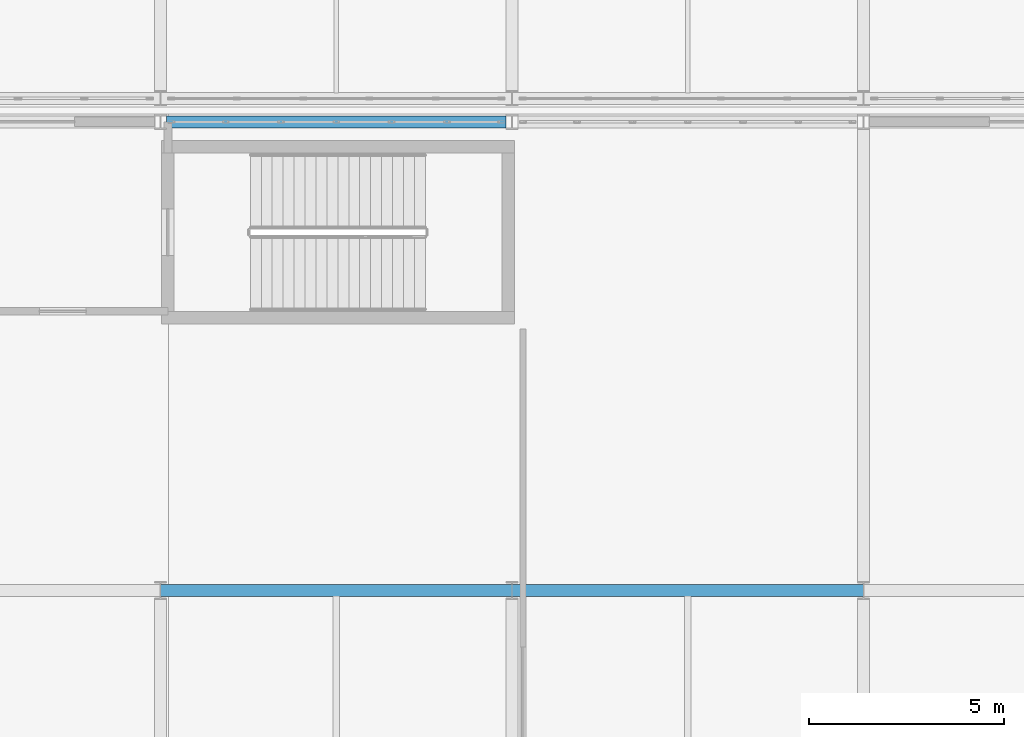
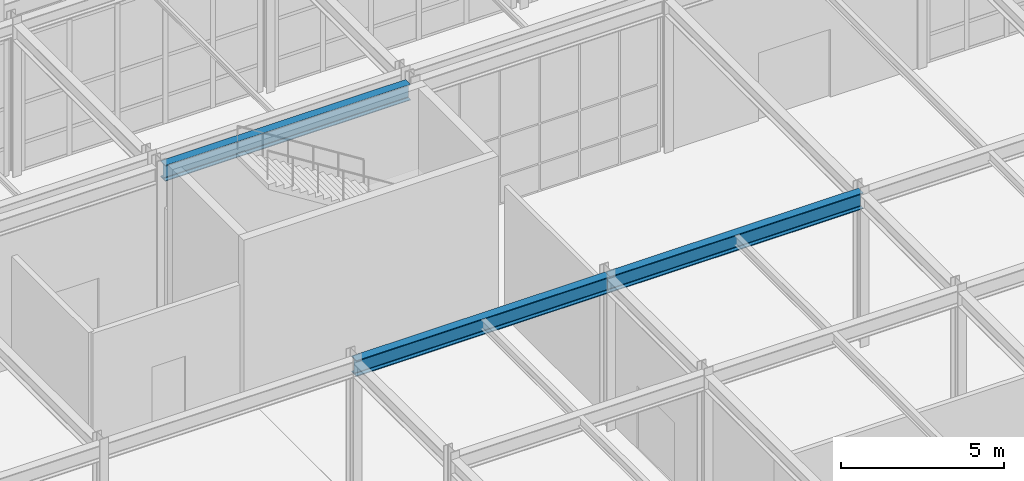
# One storey, part 39 of 146: 3 beams.
"""IFC4 building model written with IfcOpenShell, lengths in metres."""

from ifc_helpers import new_model, si_unit, direction, frame, origin, origin_2d, place, context, subcontext, project, spatial, i_section, extrude, material, material_profile, profile_set, type_object, element, save


model = new_model("IFC4")

# Units and contexts
model_context = context("Model", 3, precision=1e-05, world=origin(), true_north=direction((0.0, 1.0)))
body_context = subcontext(model_context, "Body", "Model", "MODEL_VIEW")
ifc_project = project(units=[si_unit("LENGTHUNIT", "METRE"), si_unit("AREAUNIT", "SQUARE_METRE"), si_unit("VOLUMEUNIT", "CUBIC_METRE"), si_unit("PLANEANGLEUNIT", "RADIAN"), si_unit("MASSUNIT", "GRAM", prefix="KILO")], contexts=[model_context])

# Site, building, storey
site_placement = place(None, origin())
site = spatial("IfcSite", under=ifc_project, at=site_placement, CompositionType="ELEMENT")
building_placement = place(site_placement, origin())
building = spatial("IfcBuilding", under=site, at=building_placement, Name="Kaldris Quays Convention Centre", CompositionType="ELEMENT")
storey_placement = place(building_placement, origin())
storey = spatial("IfcBuildingStorey", under=building, at=storey_placement, Name="L00", CompositionType="ELEMENT", Elevation=0.0)

# Beams
ifc_material = material(Name="Steel S355J2", Category="steel")
ifc_material_profile = material_profile(ifc_material, i_section(OverallWidth=0.300048828125, OverallDepth=0.60009765625, WebThickness=0.015380859375, FlangeThickness=0.030029296875, FilletRadius=0.027099609375, at=origin_2d()), Name="HEB 600")
ifc_profile_set = profile_set([ifc_material_profile], Name="Steel S355J2")
beam_type = type_object("IfcBeamType", Name="STRUCTURAL BEAM BM05", PredefinedType="BEAM", material=ifc_profile_set)
for number, where, z_axis, x_axis, name in (
    (1, (47.0009765625, 34.0, 5.423095703125), (1.0, 0.0, 0.0), (0.0, 1.0, 0.0), "L00 Girder BM05 16"),
    (2, (56.0009765625, 34.0, 5.423095703125), (1.0, 0.0, 0.0), (0.0, 1.0, 0.0), "L00 Girder BM05 17"),
):
    element("IfcBeam", number, at=place(storey_placement, frame(where, z_axis=z_axis, x_axis=x_axis)), inside=storey, type_object=beam_type, Name=name, PredefinedType="BEAM", context=body_context, shape_type="SweptSolid", body=[
        extrude(i_section(OverallWidth=0.300048828125, OverallDepth=0.60009765625, WebThickness=0.015380859375, FlangeThickness=0.030029296875, FilletRadius=0.027099609375, at=origin_2d()), origin(), (0.0, 0.0, 1.0), 8.998046875),
    ])
beam_placement = place(storey_placement, frame((47.14794921875, 46.0, 5.423095703125), z_axis=(1.0, 0.0, 0.0), x_axis=(0.0, 1.0, 0.0)))
element("IfcBeam", 3, at=beam_placement, inside=storey, type_object=beam_type, Name="L00 Girder BM05 23", PredefinedType="BEAM", context=body_context, shape_type="SweptSolid", body=[
    extrude(i_section(OverallWidth=0.300048828125, OverallDepth=0.60009765625, WebThickness=0.015380859375, FlangeThickness=0.030029296875, FilletRadius=0.027099609375, at=origin_2d()), origin(), (0.0, 0.0, 1.0), 8.7041015625),
])

save(model, "model.ifc")
